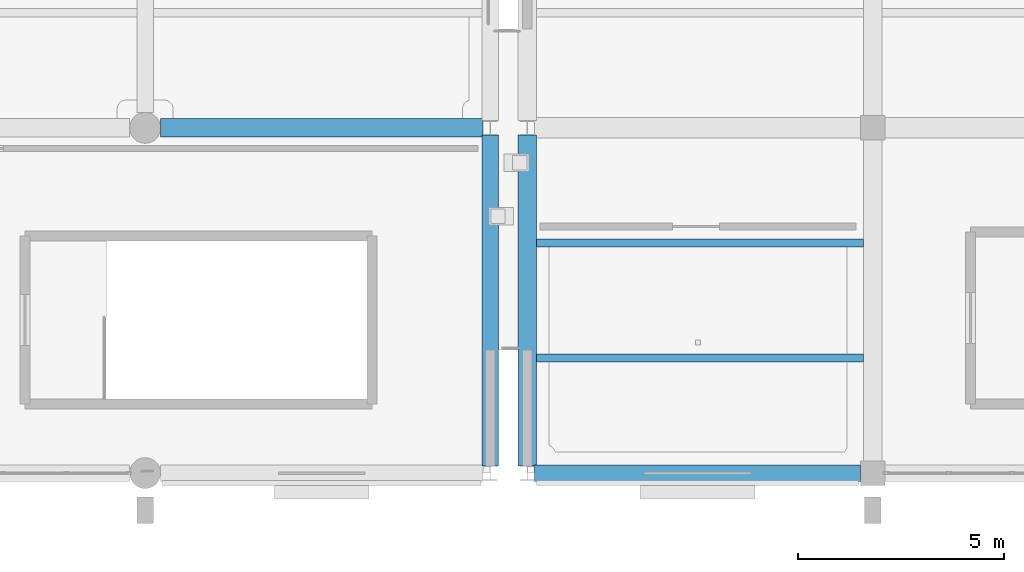
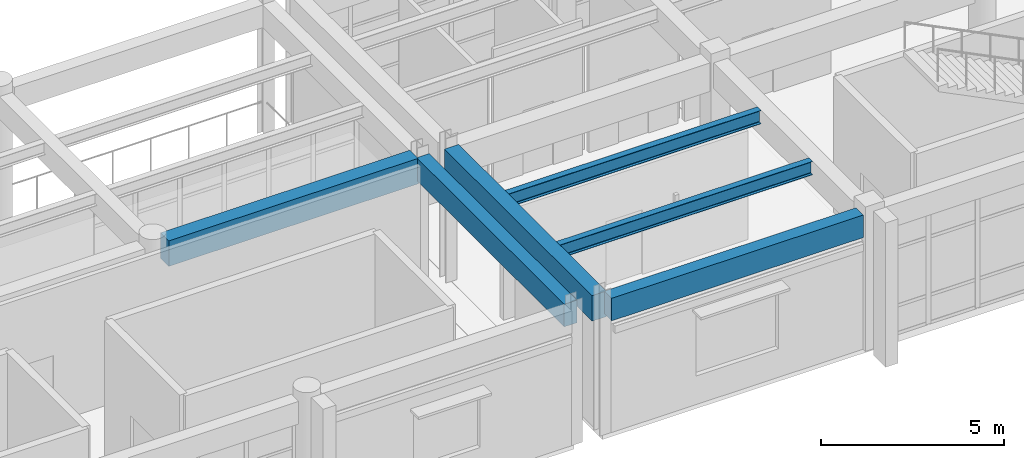
# One storey, part 12 of 139: 6 beams.
"""IFC4 building model written with IfcOpenShell, lengths in metres."""

from ifc_helpers import new_model, si_unit, direction, frame, origin, origin_2d, place, context, subcontext, project, spatial, rectangle, i_section, extrude, material, material_profile, profile_set, type_object, element, save


model = new_model("IFC4")

# Units and contexts
model_context = context("Model", 3, precision=1e-05, world=origin(), true_north=direction((0.0, 1.0)))
body_context = subcontext(model_context, "Body", "Model", "MODEL_VIEW")
ifc_project = project(units=[si_unit("LENGTHUNIT", "METRE"), si_unit("AREAUNIT", "SQUARE_METRE"), si_unit("VOLUMEUNIT", "CUBIC_METRE"), si_unit("PLANEANGLEUNIT", "RADIAN"), si_unit("MASSUNIT", "GRAM", prefix="KILO")], contexts=[model_context])

# Site, building, storey
site_placement = place(None, origin())
site = spatial("IfcSite", under=ifc_project, at=site_placement, CompositionType="ELEMENT")
building_placement = place(site_placement, origin())
building = spatial("IfcBuilding", under=site, at=building_placement, Name="Canglan Escarpment Cableway Terminal", CompositionType="ELEMENT")
storey_placement = place(building_placement, frame((0.0, 0.0, 14.39990234375)))
storey = spatial("IfcBuildingStorey", under=building, at=storey_placement, Name="L03", CompositionType="ELEMENT", Elevation=14.39990234375)

# Beams
ifc_material_1 = material(Name="Concrete C40", Category="concrete")
ifc_material_profile_1 = material_profile(ifc_material_1, rectangle(XDim=0.39990234375, YDim=0.75, at=origin_2d()), Name="RC 400x750")
ifc_profile_set_1 = profile_set([ifc_material_profile_1], Name="Concrete C40")
beam_type_1 = type_object("IfcBeamType", Name="BM-RC400x750", PredefinedType="BEAM", material=ifc_profile_set_1)
beam_1_placement = place(storey_placement, frame((110.60009765625, 8.175048828125, 4.125), z_axis=(0.0, 1.0, 0.0), x_axis=(-1.0, 0.0, 0.0)))
element("IfcBeam", 1, at=beam_1_placement, inside=storey, type_object=beam_type_1, Name="Primary transverse girder B-03", PredefinedType="BEAM", context=body_context, shape_type="SweptSolid", body=[
    extrude(rectangle(XDim=0.39990234375, YDim=0.75, at=origin_2d()), origin(), (0.0, 0.0, 1.0), 8.050048828125),
])
ifc_material_profile_2 = material_profile(ifc_material_1, rectangle(XDim=0.449951171875, YDim=0.85009765625, at=origin_2d()), Name="RC 450x850")
ifc_profile_set_2 = profile_set([ifc_material_profile_2], Name="Concrete C40")
beam_type_2 = type_object("IfcBeamType", Name="BM-RC450x850", PredefinedType="BEAM", material=ifc_profile_set_2)
beam_2_placement = place(storey_placement, frame((102.574951171875, 16.39990234375, 4.0751953125), z_axis=(1.0, 0.0, 0.0), x_axis=(0.0, 1.0, 0.0)))
element("IfcBeam", 2, at=beam_2_placement, inside=storey, type_object=beam_type_2, Name="Primary structural girder B-02", PredefinedType="BEAM", context=body_context, shape_type="SweptSolid", body=[
    extrude(rectangle(XDim=0.449951171875, YDim=0.85009765625, at=origin_2d()), origin(), (0.0, 0.0, 1.0), 7.85009765625),
])
beam_3_placement = place(storey_placement, frame((111.5, 8.175048828125, 4.05517578125), z_axis=(0.0, 1.0, 0.0), x_axis=(-1.0, 0.0, 0.0)))
element("IfcBeam", 3, at=beam_3_placement, inside=storey, type_object=beam_type_2, Name="Primary transverse girder B-02", PredefinedType="BEAM", context=body_context, shape_type="SweptSolid", body=[
    extrude(rectangle(XDim=0.449951171875, YDim=0.85009765625, at=origin_2d()), origin(), (0.0, 0.0, 1.0), 8.050048828125),
])
ifc_material_2 = material(Name="Steel Q355B", Category="steel")
ifc_material_profile_3 = material_profile(ifc_material_2, i_section(OverallWidth=0.199951171875, OverallDepth=0.449951171875, WebThickness=0.009033203125, FlangeThickness=0.013916015625, FilletRadius=0.01806640625, at=origin_2d()), Name="HN 450x200x9x14")
ifc_profile_set_3 = profile_set([ifc_material_profile_3], Name="Steel Q355B")
beam_type_3 = type_object("IfcBeamType", Name="JS-HN450", PredefinedType="JOIST", material=ifc_profile_set_3)
for number, where, z_axis, x_axis, name in (
    (4, (111.72509765625, 10.800048828125, 4.255126953125), (1.0, 0.0, 0.0), (0.0, 1.0, 0.0), "Secondary composite deck joist J-02"),
    (5, (111.72509765625, 13.60009765625, 4.255126953125), (1.0, 0.0, 0.0), (0.0, 1.0, 0.0), "Secondary composite deck joist J-02"),
):
    element("IfcBeam", number, at=place(storey_placement, frame(where, z_axis=z_axis, x_axis=x_axis)), inside=storey, type_object=beam_type_3, Name=name, PredefinedType="JOIST", context=body_context, shape_type="SweptSolid", body=[
        extrude(i_section(OverallWidth=0.199951171875, OverallDepth=0.449951171875, WebThickness=0.009033203125, FlangeThickness=0.013916015625, FilletRadius=0.01806640625, at=origin_2d()), origin(), (0.0, 0.0, 1.0), 7.949951171875),
    ])
ifc_material_profile_4 = material_profile(ifc_material_1, rectangle(XDim=0.39990234375, YDim=0.75, at=origin_2d()), Name="RC 400x750")
ifc_profile_set_4 = profile_set([ifc_material_profile_4], Name="Concrete C40")
beam_type_4 = type_object("IfcBeamType", Name="SP-RC400x750", PredefinedType="SPANDREL", material=ifc_profile_set_4)
beam_4_placement = place(storey_placement, frame((111.675048828125, 8.0, 4.10498046875), z_axis=(1.0, 0.0, 0.0), x_axis=(0.0, 1.0, 0.0)))
element("IfcBeam", 6, at=beam_4_placement, inside=storey, type_object=beam_type_4, Name="Primary structural girder SP-01", PredefinedType="SPANDREL", context=body_context, shape_type="SweptSolid", body=[
    extrude(rectangle(XDim=0.39990234375, YDim=0.75, at=origin_2d()), origin(), (0.0, 0.0, 1.0), 7.925048828125),
])

save(model, "model.ifc")
